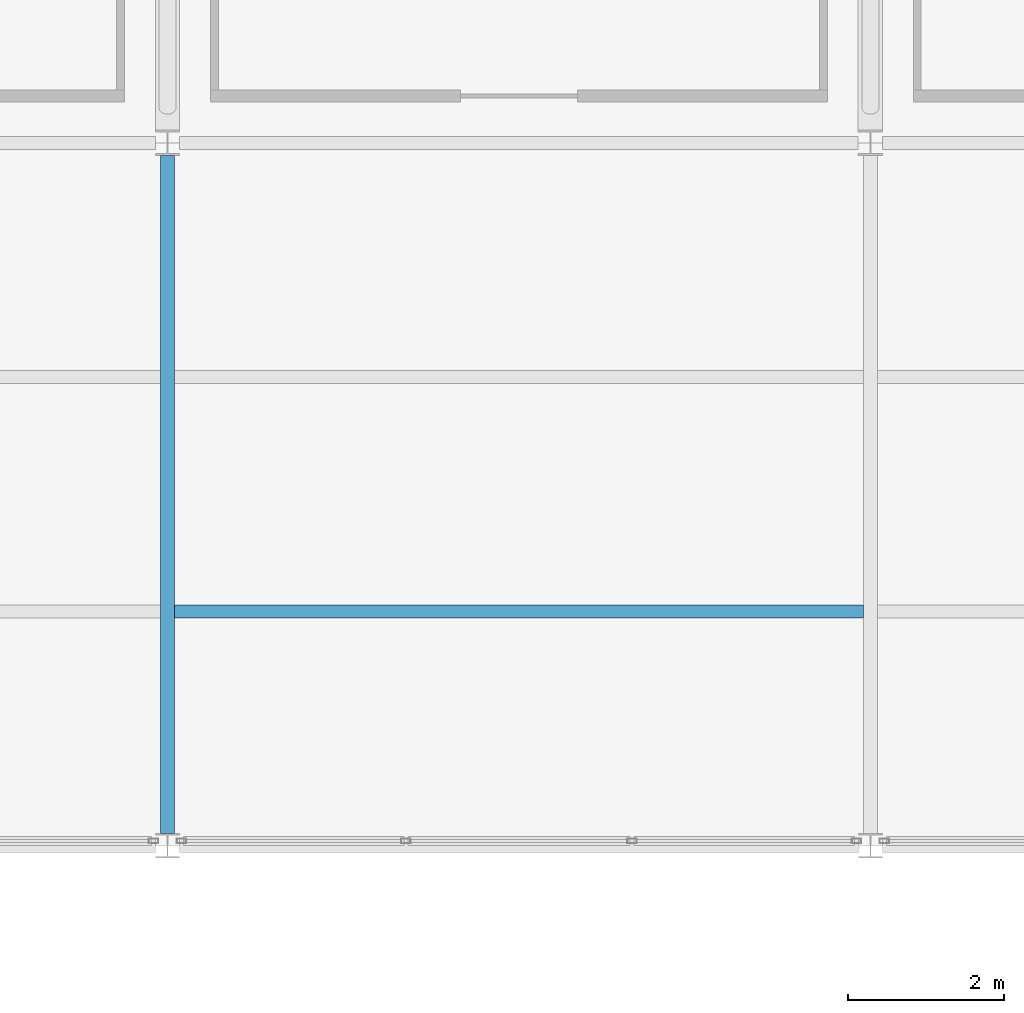
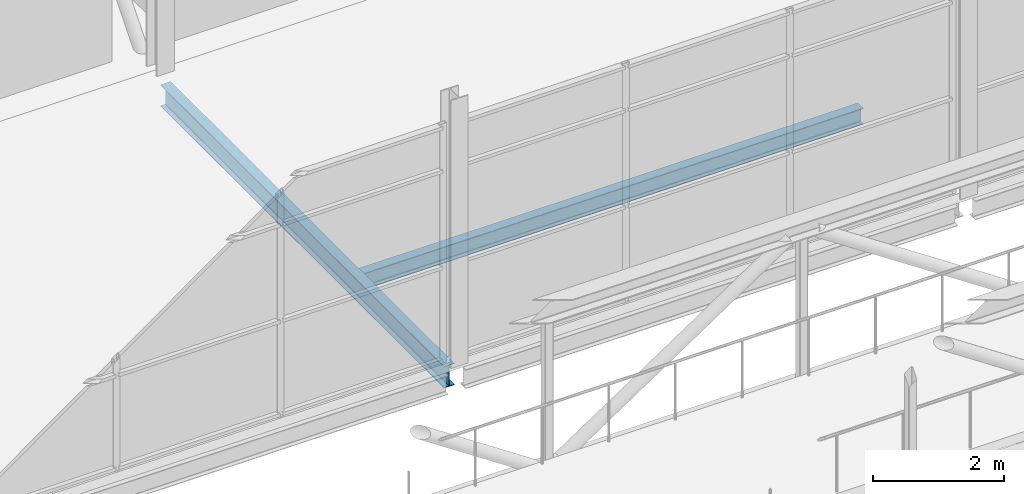
# One storey, part 33 of 94: 2 beams.
"""IFC4 building model written with IfcOpenShell, lengths in metres."""

from ifc_helpers import new_model, si_unit, direction, frame, origin, origin_2d, place, context, subcontext, project, spatial, i_section, extrude, material, material_profile, profile_set, type_object, element, save


model = new_model("IFC4")

# Units and contexts
model_context = context("Model", 3, precision=1e-05, world=origin(), true_north=direction((0.0, 1.0)))
body_context = subcontext(model_context, "Body", "Model", "MODEL_VIEW")
ifc_project = project(units=[si_unit("LENGTHUNIT", "METRE"), si_unit("AREAUNIT", "SQUARE_METRE"), si_unit("VOLUMEUNIT", "CUBIC_METRE"), si_unit("PLANEANGLEUNIT", "RADIAN"), si_unit("MASSUNIT", "GRAM", prefix="KILO")], contexts=[model_context])

# Site, building, storey
site_placement = place(None, origin())
site = spatial("IfcSite", under=ifc_project, at=site_placement, CompositionType="ELEMENT")
building_placement = place(site_placement, origin())
building = spatial("IfcBuilding", under=site, at=building_placement, Name="Shorebreak Coast Museum", CompositionType="ELEMENT")
storey_placement = place(building_placement, frame((0.0, 0.0, 31.0)))
storey = spatial("IfcBuildingStorey", under=building, at=storey_placement, Name="L05", CompositionType="ELEMENT", Elevation=31.0)

# Beams
ifc_material_1 = material(Name="Steel Grade 300", Category="steel")
ifc_material_profile_1 = material_profile(ifc_material_1, i_section(OverallWidth=0.177978515625, OverallDepth=0.406494140625, WebThickness=0.0078125, FlangeThickness=0.0126953125, FilletRadius=0.011474609375, at=origin_2d()), Name="410UB59.7")
ifc_profile_set_1 = profile_set([ifc_material_profile_1], Name="Steel Grade 300")
beam_type_1 = type_object("IfcBeamType", Name="Floor girder north-south 410UB59.7", PredefinedType="BEAM", material=ifc_profile_set_1)
beam_1_placement = place(storey_placement, frame((81.0, 81.1572265625, -0.378173828125), z_axis=(0.0, 1.0, 0.0), x_axis=(-1.0, 0.0, 0.0)))
element("IfcBeam", 1, at=beam_1_placement, inside=storey, type_object=beam_type_1, Name="Floor girder north-south L05 10K", PredefinedType="BEAM", context=body_context, shape_type="SweptSolid", body=[
    extrude(i_section(OverallWidth=0.177978515625, OverallDepth=0.406494140625, WebThickness=0.0078125, FlangeThickness=0.0126953125, FilletRadius=0.011474609375, at=origin_2d()), origin(), (0.0, 0.0, 1.0), 8.67919921875),
])
ifc_material_2 = material(Name="Steel Grade 300", Category="steel")
ifc_material_profile_2 = material_profile(ifc_material_2, i_section(OverallWidth=0.1650390625, OverallDepth=0.303955078125, WebThickness=0.006103515625, FlangeThickness=0.01025390625, FilletRadius=0.011474609375, at=origin_2d()), Name="310UB40.4")
ifc_profile_set_2 = profile_set([ifc_material_profile_2], Name="Steel Grade 300")
beam_type_2 = type_object("IfcBeamType", Name="Floor joist 310UB40.4", PredefinedType="JOIST", material=ifc_profile_set_2)
beam_2_placement = place(storey_placement, frame((81.089111328125, 84.0, -0.326904296875), z_axis=(1.0, 0.0, 0.0), x_axis=(0.0, 1.0, 0.0)))
element("IfcBeam", 2, at=beam_2_placement, inside=storey, type_object=beam_type_2, Name="Floor joist L05 bay 10K at 3000 mm", PredefinedType="JOIST", context=body_context, shape_type="SweptSolid", body=[
    extrude(i_section(OverallWidth=0.1650390625, OverallDepth=0.303955078125, WebThickness=0.006103515625, FlangeThickness=0.01025390625, FilletRadius=0.011474609375, at=origin_2d()), origin(), (0.0, 0.0, 1.0), 8.82177734375),
])

save(model, "model.ifc")
